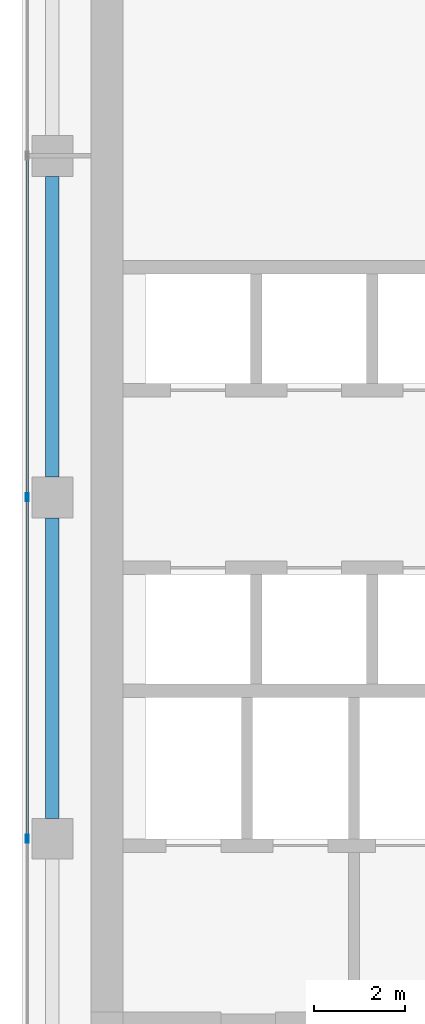
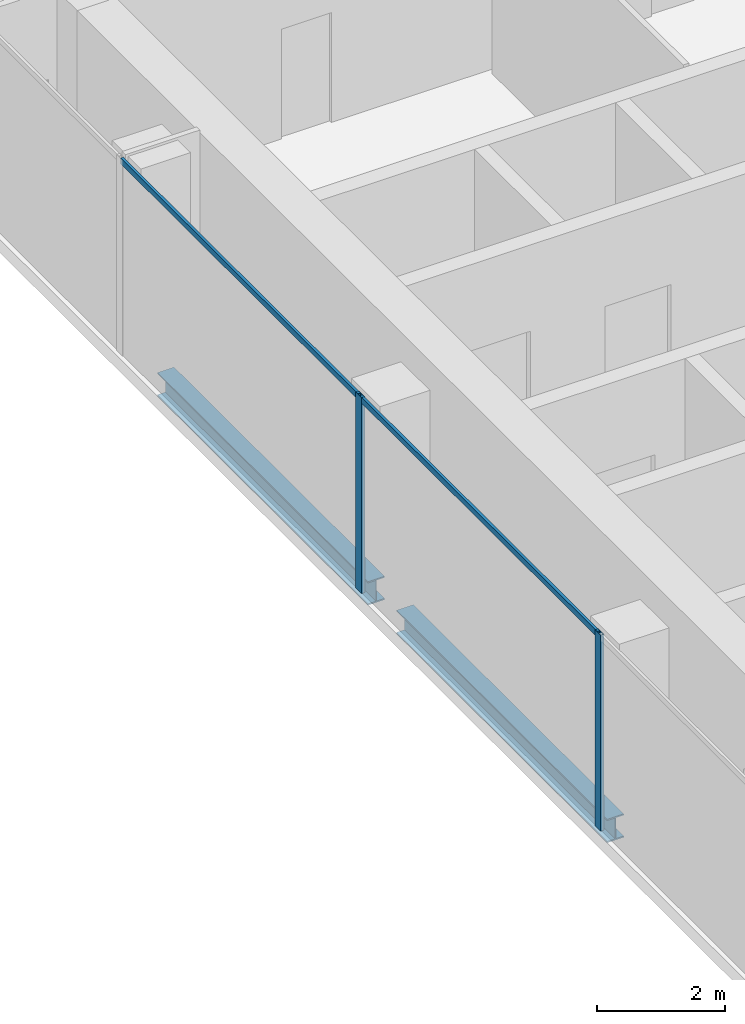
# One storey, part 6 of 35: 4 members, 2 beams, 1 element without a shape of its own.
"""IFC4 building model written with IfcOpenShell, lengths in metres."""

from ifc_helpers import new_model, si_unit, direction, frame, origin, origin_2d, place, context, subcontext, project, spatial, hollow_rectangle, i_section, extrude, source, transform, mapped, material, material_profile, profile_set, type_object, element, aggregate, save


model = new_model("IFC4")

# Units and contexts
model_context = context("Model", 3, precision=1e-05, world=origin(), true_north=direction((0.0, 1.0)))
body_context = subcontext(model_context, "Body", "Model", "MODEL_VIEW")
ifc_project = project(units=[si_unit("LENGTHUNIT", "METRE"), si_unit("AREAUNIT", "SQUARE_METRE"), si_unit("VOLUMEUNIT", "CUBIC_METRE"), si_unit("PLANEANGLEUNIT", "RADIAN"), si_unit("MASSUNIT", "GRAM", prefix="KILO")], contexts=[model_context])

# Site, building, storey
site_placement = place(None, origin())
site = spatial("IfcSite", under=ifc_project, at=site_placement, CompositionType="ELEMENT")
building_placement = place(site_placement, origin())
building = spatial("IfcBuilding", under=site, at=building_placement, Name="Khomas Fold Tower", CompositionType="ELEMENT")
storey_placement = place(building_placement, frame((0.0, 0.0, 250.199951171875)))
storey = spatial("IfcBuildingStorey", under=building, at=storey_placement, Name="L56", CompositionType="ELEMENT", Elevation=250.199951171875)

# Beams
ifc_material_1 = material(Name="Steel S355", Category="steel")
ifc_material_profile_1 = material_profile(ifc_material_1, i_section(OverallWidth=0.300048828125, OverallDepth=0.449951171875, WebThickness=0.013916015625, FlangeThickness=0.02587890625, at=origin_2d()), Name="HE 450 B")
ifc_profile_set_1 = profile_set([ifc_material_profile_1], Name="Steel S355")
beam_type = type_object("IfcBeamType", Name="HE 450 B spandrel SB4", PredefinedType="SPANDREL", material=ifc_profile_set_1)
shared_shape_1 = source(origin(), body_context, "Body", "SweptSolid", [
    extrude(i_section(OverallWidth=0.300048828125, OverallDepth=0.449951171875, WebThickness=0.013916015625, FlangeThickness=0.02587890625, at=origin_2d()), origin(), (0.0, 0.0, 1.0), 6.60009765625),
])
for number, where, z_axis, x_axis, name in (
    (1, (5.14990234375, 27.449951171875, -0.474853515625), (0.0, 1.0, 0.0), (-1.0, 0.0, 0.0), "SB4"),
    (2, (5.14990234375, 19.949951171875, -0.474853515625), (0.0, 1.0, 0.0), (-1.0, 0.0, 0.0), "SB4"),
):
    element("IfcBeam", number, at=place(storey_placement, frame(where, z_axis=z_axis, x_axis=x_axis)), inside=storey, type_object=beam_type, Name=name, PredefinedType="SPANDREL", context=body_context, shape_type="MappedRepresentation", body=[
        mapped(shared_shape_1, transform((0.0, 0.0, 0.0))),
    ])

# Curtain wall, members
ifc_material_2 = material(Name="Aluminium framed double glazing", Category="aluminium")
curtain_wall_type = type_object("IfcCurtainWallType", Name="SK-Unitised clear-glass wall, office floors CW2", PredefinedType="NOTDEFINED", material=ifc_material_2)
curtain_wall_placement = place(storey_placement, origin())
curtain_wall = element("IfcCurtainWall", 3, at=curtain_wall_placement, inside=storey, type_object=curtain_wall_type, Name="CW2 run L56 09-0", PredefinedType="NOTDEFINED")
ifc_material_3 = material(Name="Aluminium", Category="aluminium")
ifc_material_profile_2 = material_profile(ifc_material_3, hollow_rectangle(XDim=0.06005859375, YDim=0.179931640625, WallThickness=0.00390625, at=origin_2d()), Name="SK-Unitised clear-glass wall, office floors mullion CW2-M")
ifc_profile_set_2 = profile_set([ifc_material_profile_2], Name="Aluminium")
member_type_1 = type_object("IfcMemberType", Name="SK-Unitised clear-glass wall, office floors mullion CW2-M", PredefinedType="MULLION", material=ifc_profile_set_2)
shared_shape_2 = source(origin(), body_context, "Body", "SweptSolid", [
    extrude(hollow_rectangle(XDim=0.06005859375, YDim=0.179931640625, WallThickness=0.00390625, at=origin_2d()), origin(), (0.0, 0.0, 1.0), 3.75),
])
member_1_placement = place(storey_placement, frame((4.60009765625, 27.0, 0.0), z_axis=(0.0, 0.0, 1.0), x_axis=(1.0, 0.0, 0.0)))
member_1 = element("IfcMember", 4, at=member_1_placement, type_object=member_type_1, Name="CW2 mullion 4", PredefinedType="MULLION", context=body_context, shape_type="MappedRepresentation", body=[
    mapped(shared_shape_2, transform((0.0, 0.0, 0.0))),
])
member_2_placement = place(storey_placement, frame((4.60009765625, 19.5, 0.0), z_axis=(0.0, 0.0, 1.0), x_axis=(1.0, 0.0, 0.0)))
member_2 = element("IfcMember", 5, at=member_2_placement, type_object=member_type_1, Name="CW2 mullion 5", PredefinedType="MULLION", context=body_context, shape_type="MappedRepresentation", body=[
    mapped(shared_shape_2, transform((0.0, 0.0, 0.0))),
])
ifc_material_4 = material(Name="Aluminium", Category="aluminium")
ifc_material_profile_3 = material_profile(ifc_material_4, hollow_rectangle(XDim=0.050048828125, YDim=0.110107421875, WallThickness=0.00390625, at=origin_2d()), Name="SK-Unitised clear-glass wall, office floors transom CW2-T")
ifc_profile_set_3 = profile_set([ifc_material_profile_3], Name="Aluminium")
member_type_2 = type_object("IfcMemberType", Name="SK-Unitised clear-glass wall, office floors transom CW2-T", PredefinedType="USERDEFINED", material=ifc_profile_set_3)
shared_shape_3 = source(origin(), body_context, "Body", "SweptSolid", [
    extrude(hollow_rectangle(XDim=0.050048828125, YDim=0.110107421875, WallThickness=0.00390625, at=origin_2d()), origin(), (0.0, 0.0, 1.0), 7.43994140625),
])
member_3_placement = place(storey_placement, frame((4.60009765625, 34.469970703125, 3.695068359375), z_axis=(0.0, -1.0, 0.0), x_axis=(1.0, 0.0, 0.0)))
member_3 = element("IfcMember", 6, at=member_3_placement, type_object=member_type_2, Name="CW2 transom 3", ObjectType="TRANSOM", PredefinedType="USERDEFINED", context=body_context, shape_type="MappedRepresentation", body=[
    mapped(shared_shape_3, transform((0.0, 0.0, 0.0))),
])
member_4_placement = place(storey_placement, frame((4.60009765625, 26.969970703125, 3.695068359375), z_axis=(0.0, -1.0, 0.0), x_axis=(1.0, 0.0, 0.0)))
member_4 = element("IfcMember", 7, at=member_4_placement, type_object=member_type_2, Name="CW2 transom 4", ObjectType="TRANSOM", PredefinedType="USERDEFINED", context=body_context, shape_type="MappedRepresentation", body=[
    mapped(shared_shape_3, transform((0.0, 0.0, 0.0))),
])
aggregate(curtain_wall, [member_1, member_2, member_3, member_4])

save(model, "model.ifc")
